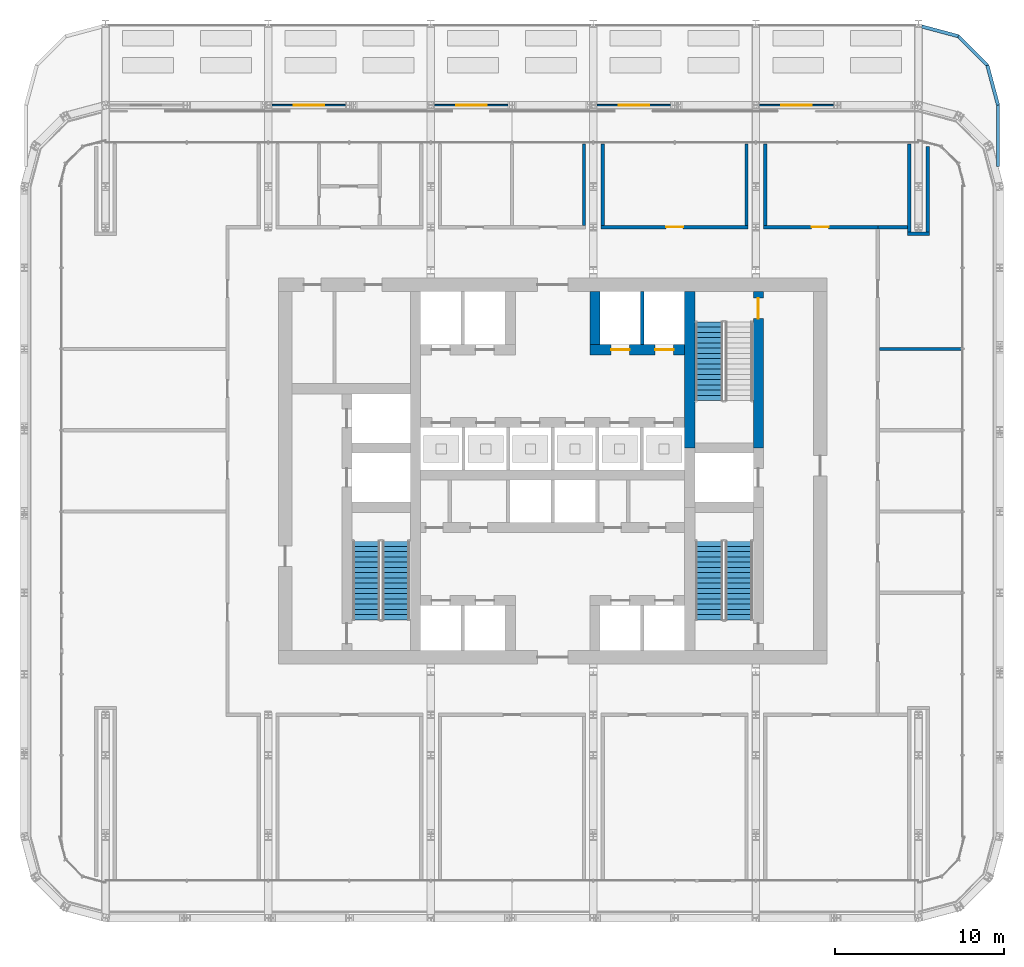
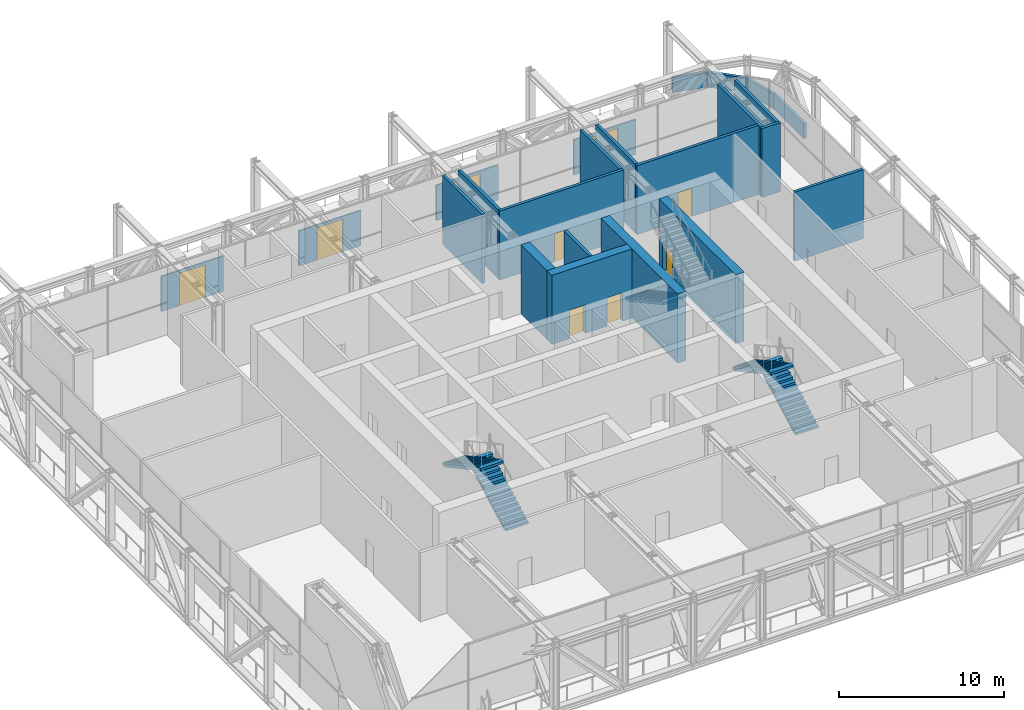
# One storey, part 19 of 27: 24 walls, 9 doors, 5 stair flights, 9 openings, 3 elements without a shape of their own.
"""IFC4 building model written with IfcOpenShell, lengths in metres."""

from ifc_helpers import new_model, si_unit, direction, frame, frame_2d, origin, place, context, subcontext, project, spatial, polyline, rectangle, outline, extrude, material, layer, layer_set, type_object, element, fill, aggregate, save


model = new_model("IFC4")

# Units and contexts
model_context = context("Model", 3, precision=1e-05, world=origin(), true_north=direction((0.0, 1.0)))
body_context = subcontext(model_context, "Body", "Model", "MODEL_VIEW")
ifc_project = project(units=[si_unit("LENGTHUNIT", "METRE"), si_unit("AREAUNIT", "SQUARE_METRE"), si_unit("VOLUMEUNIT", "CUBIC_METRE"), si_unit("PLANEANGLEUNIT", "RADIAN"), si_unit("MASSUNIT", "GRAM", prefix="KILO")], contexts=[model_context])

# Site, building, storey
site_placement = place(None, origin())
site = spatial("IfcSite", under=ifc_project, at=site_placement, CompositionType="ELEMENT")
building_placement = place(site_placement, origin())
building = spatial("IfcBuilding", under=site, at=building_placement, Name="Madar Terraces", CompositionType="ELEMENT")
storey_placement = place(building_placement, frame((0.0, 0.0, 143.60009765625)))
storey = spatial("IfcBuildingStorey", under=building, at=storey_placement, Name="L37", CompositionType="ELEMENT", Elevation=143.60009765625)

# Wall
ifc_material_1 = material(Name="Concrete C70/85", Category="concrete")
ifc_layer_1 = layer(ifc_material_1, 0.60009765625)
ifc_layer_set_1 = layer_set([ifc_layer_1], Name="Concrete C70/85 (CIW3 RC wall 600)")
wall_type_1 = type_object("IfcWallType", Name="CIW3 RC wall 600", PredefinedType="SHEAR", material=ifc_layer_set_1)
wall_1_placement = place(storey_placement, frame((39.300048828125, 27.75, 0.0), z_axis=(0.0, 0.0, 1.0), x_axis=(0.0, 1.0, 0.0)))
element("IfcWall", 1, at=wall_1_placement, inside=storey, type_object=wall_type_1, Name="CORE SHAFT WALL", PredefinedType="SHEAR", context=body_context, shape_type="SweptSolid", body=[
    extrude(rectangle(XDim=9.25, YDim=0.60009765625, at=frame_2d((4.625, 0.0))), origin(), (0.0, 0.0, 1.0), 5.099853515625),
])

# Wall, opening, door
wall_2_placement = place(storey_placement, frame((43.35009765625, 27.75, 0.0), z_axis=(0.0, 0.0, 1.0), x_axis=(0.0, 1.0, 0.0)))
wall_2 = element("IfcWall", 2, at=wall_2_placement, inside=storey, type_object=wall_type_1, Name="CORE SHAFT WALL", PredefinedType="SHEAR", context=body_context, shape_type="SweptSolid", body=[
    extrude(rectangle(XDim=9.25, YDim=0.60009765625, at=frame_2d((4.625, 0.0))), origin(), (0.0, 0.0, 1.0), 5.099853515625),
])
opening_1_placement = place(wall_2_placement, frame((7.64990234375, 0.0, 0.0)))
opening_1 = element("IfcOpeningElement", 3, at=opening_1_placement, cuts=wall_2, Name="Opening SD1", PredefinedType="OPENING", context=body_context, shape_type="SweptSolid", body=[
    extrude(rectangle(XDim=1.199951171875, YDim=2.10009765625, at=frame_2d((0.60009765625, 1.050048828125))), frame((0.0, 0.31005859375, 0.0), z_axis=(0.0, -1.0, 0.0), x_axis=(1.0, 0.0, 0.0)), (0.0, 0.0, 1.0), 0.6201171875),
])
ifc_material_2 = material(Name="Steel door leaf", Category="steel")
door_type_1 = type_object("IfcDoorType", Name="Stair door 1200 x 2100", OperationType="NOTDEFINED", PredefinedType="DOOR", material=ifc_material_2)
door_1_placement = place(opening_1_placement, origin())
door_1 = element("IfcDoor", 4, at=door_1_placement, inside=storey, type_object=door_type_1, Name="STAIR DOOR", OperationType="SINGLE_SWING_LEFT", OverallHeight=2.10009765625, OverallWidth=1.199951171875, PredefinedType="DOOR", context=body_context, shape_type="SweptSolid", body=[
    extrude(rectangle(XDim=1.199951171875, YDim=2.10009765625, at=frame_2d((0.60009765625, 1.050048828125))), frame((0.0, 0.02490234375, 0.0), z_axis=(0.0, -1.0, 0.0), x_axis=(1.0, 0.0, 0.0)), (0.0, 0.0, 1.0), 0.050048828125),
])
fill(opening_1, door_1)

# Wall, openings, doors
wall_3_placement = place(storey_placement, frame((33.39990234375, 33.550048828125, 0.0), z_axis=(0.0, 0.0, 1.0), x_axis=(1.0, 0.0, 0.0)))
wall_3 = element("IfcWall", 5, at=wall_3_placement, inside=storey, type_object=wall_type_1, Name="CORE SHAFT WALL", PredefinedType="SHEAR", context=body_context, shape_type="SweptSolid", body=[
    extrude(rectangle(XDim=5.60009765625, YDim=0.60009765625, at=frame_2d((2.800048828125, 0.0))), origin(), (0.0, 0.0, 1.0), 5.099853515625),
])
opening_2_placement = place(wall_3_placement, frame((1.25, 0.0, 0.0)))
opening_2 = element("IfcOpeningElement", 6, at=opening_2_placement, cuts=wall_3, Name="Opening LD", PredefinedType="OPENING", context=body_context, shape_type="SweptSolid", body=[
    extrude(rectangle(XDim=1.10009765625, YDim=2.10009765625, at=frame_2d((0.550048828125, 1.050048828125))), frame((0.0, 0.31005859375, 0.0), z_axis=(0.0, -1.0, 0.0), x_axis=(1.0, 0.0, 0.0)), (0.0, 0.0, 1.0), 0.6201171875),
])
opening_3_placement = place(wall_3_placement, frame((3.85009765625, 0.0, 0.0)))
opening_3 = element("IfcOpeningElement", 7, at=opening_3_placement, cuts=wall_3, Name="Opening LD", PredefinedType="OPENING", context=body_context, shape_type="SweptSolid", body=[
    extrude(rectangle(XDim=1.10009765625, YDim=2.10009765625, at=frame_2d((0.550048828125, 1.050048828125))), frame((0.0, 0.31005859375, 0.0), z_axis=(0.0, -1.0, 0.0), x_axis=(1.0, 0.0, 0.0)), (0.0, 0.0, 1.0), 0.6201171875),
])
ifc_material_3 = material(Name="Stainless steel panel", Category="steel")
door_type_2 = type_object("IfcDoorType", Name="Lift landing door 1100 x 2100", OperationType="DOUBLE_DOOR_SLIDING", PredefinedType="DOOR", material=ifc_material_3)
door_2_placement = place(opening_2_placement, origin())
door_2 = element("IfcDoor", 8, at=door_2_placement, inside=storey, type_object=door_type_2, Name="LIFT LANDING DOOR", OperationType="DOUBLE_DOOR_SLIDING", OverallHeight=2.10009765625, OverallWidth=1.10009765625, PredefinedType="DOOR", context=body_context, shape_type="SweptSolid", body=[
    extrude(rectangle(XDim=1.10009765625, YDim=2.10009765625, at=frame_2d((0.550048828125, 1.050048828125))), frame((0.0, 0.02490234375, 0.0), z_axis=(0.0, -1.0, 0.0), x_axis=(1.0, 0.0, 0.0)), (0.0, 0.0, 1.0), 0.050048828125),
])
fill(opening_2, door_2)
door_3_placement = place(opening_3_placement, origin())
door_3 = element("IfcDoor", 9, at=door_3_placement, inside=storey, type_object=door_type_2, Name="LIFT LANDING DOOR", OperationType="DOUBLE_DOOR_SLIDING", OverallHeight=2.10009765625, OverallWidth=1.10009765625, PredefinedType="DOOR", context=body_context, shape_type="SweptSolid", body=[
    extrude(rectangle(XDim=1.10009765625, YDim=2.10009765625, at=frame_2d((0.550048828125, 1.050048828125))), frame((0.0, 0.02490234375, 0.0), z_axis=(0.0, -1.0, 0.0), x_axis=(1.0, 0.0, 0.0)), (0.0, 0.0, 1.0), 0.050048828125),
])
fill(opening_3, door_3)

# Walls
wall_4_placement = place(storey_placement, frame((33.699951171875, 33.85009765625, 0.0), z_axis=(0.0, 0.0, 1.0), x_axis=(0.0, 1.0, 0.0)))
element("IfcWall", 10, at=wall_4_placement, inside=storey, type_object=wall_type_1, Name="CORE SHAFT WALL", PredefinedType="SHEAR", context=body_context, shape_type="SweptSolid", body=[
    extrude(rectangle(XDim=3.14990234375, YDim=0.60009765625, at=frame_2d((1.574951171875, 0.0))), origin(), (0.0, 0.0, 1.0), 5.099853515625),
])
ifc_material_4 = material(Name="Concrete C40/50", Category="concrete")
ifc_layer_2 = layer(ifc_material_4, 0.199951171875)
ifc_layer_set_2 = layer_set([ifc_layer_2], Name="Core shaft dividing wall 200 C40/50")
wall_type_2 = type_object("IfcWallType", Name="Core shaft dividing wall 200 C40/50", PredefinedType="SOLIDWALL", material=ifc_layer_set_2)
wall_5_placement = place(storey_placement, frame((36.5, 33.85009765625, 0.0), z_axis=(0.0, 0.0, 1.0), x_axis=(0.0, 1.0, 0.0)))
element("IfcWall", 11, at=wall_5_placement, inside=storey, type_object=wall_type_2, Name="SHAFT DIVIDING WALL", PredefinedType="SOLIDWALL", context=body_context, shape_type="SweptSolid", body=[
    extrude(rectangle(XDim=3.14990234375, YDim=0.199951171875, at=frame_2d((1.574951171875, 0.0))), origin(), (0.0, 0.0, 1.0), 5.099853515625),
])
ifc_material_5 = material(Name="Gypsum board partition, fire-rated")
ifc_layer_3 = layer(ifc_material_5, 0.199951171875)
ifc_layer_set_3 = layer_set([ifc_layer_3], Name="Partition 200 EI 60")
wall_type_3 = type_object("IfcWallType", Name="Partition 200 EI 60", PredefinedType="PARTITIONING", material=ifc_layer_set_3)
wall_6_placement = place(storey_placement, frame((50.5, 33.60009765625, 0.0), z_axis=(0.0, 0.0, 1.0), x_axis=(1.0, 0.0, 0.0)))
element("IfcWall", 12, at=wall_6_placement, inside=storey, type_object=wall_type_3, Name="Wall CRAFT ROOM / QUIET ROOM", PredefinedType="PARTITIONING", context=body_context, shape_type="SweptSolid", body=[
    extrude(rectangle(XDim=4.800048828125, YDim=0.199951171875, at=frame_2d((2.39990234375, 0.0))), origin(), (0.0, 0.0, 1.0), 5.099853515625),
])
wall_7_placement = place(storey_placement, frame((50.39990234375, 40.800048828125, 0.0), z_axis=(0.0, 0.0, 1.0), x_axis=(1.0, 0.0, 0.0)))
element("IfcWall", 13, at=wall_7_placement, inside=storey, type_object=wall_type_3, Name="Wall HOBBY ROOM / QUIET ROOM", PredefinedType="PARTITIONING", context=body_context, shape_type="SweptSolid", body=[
    extrude(rectangle(XDim=1.75, YDim=0.199951171875, at=frame_2d((0.875, 0.0))), origin(), (0.0, 0.0, 1.0), 5.099853515625),
])

# Wall, opening, door
wall_8_placement = place(storey_placement, frame((34.050048828125, 40.800048828125, 0.0), z_axis=(0.0, 0.0, 1.0), x_axis=(1.0, 0.0, 0.0)))
wall_8 = element("IfcWall", 14, at=wall_8_placement, inside=storey, type_object=wall_type_3, Name="Wall OFFICE / RING CORRIDOR", PredefinedType="PARTITIONING", context=body_context, shape_type="SweptSolid", body=[
    extrude(rectangle(XDim=8.699951171875, YDim=0.199951171875, at=frame_2d((4.35009765625, 0.0))), origin(), (0.0, 0.0, 1.0), 5.099853515625),
])
opening_4_placement = place(wall_8_placement, frame((3.85009765625, 0.0, 0.0)))
opening_4 = element("IfcOpeningElement", 15, at=opening_4_placement, cuts=wall_8, Name="Opening D31", PredefinedType="OPENING", context=body_context, shape_type="SweptSolid", body=[
    extrude(rectangle(XDim=1.0, YDim=2.10009765625, at=frame_2d((0.5, 1.050048828125))), frame((0.0, 0.10986328125, 0.0), z_axis=(0.0, -1.0, 0.0), x_axis=(1.0, 0.0, 0.0)), (0.0, 0.0, 1.0), 0.219970703125),
])
ifc_material_6 = material(Name="Timber door leaf, fire-rated", Category="wood")
door_type_3 = type_object("IfcDoorType", Name="Podium door 1000 x 2100 FD30S", OperationType="NOTDEFINED", PredefinedType="DOOR", material=ifc_material_6)
door_4_placement = place(opening_4_placement, origin())
door_4 = element("IfcDoor", 16, at=door_4_placement, inside=storey, type_object=door_type_3, Name="Door OFFICE / RING CORRIDOR", OperationType="SINGLE_SWING_LEFT", OverallHeight=2.10009765625, OverallWidth=1.0, PredefinedType="DOOR", context=body_context, shape_type="SweptSolid", body=[
    extrude(rectangle(XDim=1.0, YDim=2.10009765625, at=frame_2d((0.5, 1.050048828125))), frame((0.0, 0.02490234375, 0.0), z_axis=(0.0, -1.0, 0.0), x_axis=(1.0, 0.0, 0.0)), (0.0, 0.0, 1.0), 0.050048828125),
])
fill(opening_4, door_4)

wall_9_placement = place(storey_placement, frame((43.64990234375, 40.800048828125, 0.0), z_axis=(0.0, 0.0, 1.0), x_axis=(1.0, 0.0, 0.0)))
wall_9 = element("IfcWall", 17, at=wall_9_placement, inside=storey, type_object=wall_type_3, Name="Wall HOBBY ROOM / RING CORRIDOR", PredefinedType="PARTITIONING", context=body_context, shape_type="SweptSolid", body=[
    extrude(rectangle(XDim=6.75, YDim=0.199951171875, at=frame_2d((3.375, 0.0))), origin(), (0.0, 0.0, 1.0), 5.099853515625),
])
opening_5_placement = place(wall_9_placement, frame((2.85009765625, 0.0, 0.0)))
opening_5 = element("IfcOpeningElement", 18, at=opening_5_placement, cuts=wall_9, Name="Opening D31", PredefinedType="OPENING", context=body_context, shape_type="SweptSolid", body=[
    extrude(rectangle(XDim=1.0, YDim=2.10009765625, at=frame_2d((0.5, 1.050048828125))), frame((0.0, 0.10986328125, 0.0), z_axis=(0.0, -1.0, 0.0), x_axis=(1.0, 0.0, 0.0)), (0.0, 0.0, 1.0), 0.219970703125),
])
door_5_placement = place(opening_5_placement, origin())
door_5 = element("IfcDoor", 19, at=door_5_placement, inside=storey, type_object=door_type_3, Name="Door HOBBY ROOM / RING CORRIDOR", OperationType="SINGLE_SWING_LEFT", OverallHeight=2.10009765625, OverallWidth=1.0, PredefinedType="DOOR", context=body_context, shape_type="SweptSolid", body=[
    extrude(rectangle(XDim=1.0, YDim=2.10009765625, at=frame_2d((0.5, 1.050048828125))), frame((0.0, 0.02490234375, 0.0), z_axis=(0.0, -1.0, 0.0), x_axis=(1.0, 0.0, 0.0)), (0.0, 0.0, 1.0), 0.050048828125),
])
fill(opening_5, door_5)

# Walls
ifc_material_7 = material(Name="Gypsum board partition on metal studs")
ifc_layer_4 = layer(ifc_material_7, 0.199951171875)
ifc_layer_set_4 = layer_set([ifc_layer_4], Name="Partition 200 plain")
wall_type_4 = type_object("IfcWallType", Name="Partition 200 plain", PredefinedType="PARTITIONING", material=ifc_layer_set_4)
wall_10_placement = place(storey_placement, frame((52.14990234375, 40.39990234375, 0.0), z_axis=(0.0, 0.0, 1.0), x_axis=(1.0, 0.0, 0.0)))
element("IfcWall", 20, at=wall_10_placement, inside=storey, type_object=wall_type_4, Name="Wall QUIET ROOM / TRUSS SLOT", PredefinedType="PARTITIONING", context=body_context, shape_type="SweptSolid", body=[
    extrude(rectangle(XDim=1.300048828125, YDim=0.199951171875, at=frame_2d((0.64990234375, 0.0))), origin(), (0.0, 0.0, 1.0), 5.099853515625),
])
for number, where, z_axis, x_axis, name in (
    (21, (33.050048828125, 40.89990234375, 0.0), (0.0, 0.0, 1.0), (0.0, 1.0, 0.0), "Wall OFFICE / TRUSS SLOT"),
    (22, (34.14990234375, 40.89990234375, 0.0), (0.0, 0.0, 1.0), (0.0, 1.0, 0.0), "Wall OFFICE / TRUSS SLOT"),
    (23, (42.64990234375, 40.89990234375, 0.0), (0.0, 0.0, 1.0), (0.0, 1.0, 0.0), "Wall OFFICE / TRUSS SLOT"),
    (24, (43.75, 40.89990234375, 0.0), (0.0, 0.0, 1.0), (0.0, 1.0, 0.0), "Wall HOBBY ROOM / TRUSS SLOT"),
):
    element("IfcWall", number, at=place(storey_placement, frame(where, z_axis=z_axis, x_axis=x_axis)), inside=storey, type_object=wall_type_4, Name=name, PredefinedType="PARTITIONING", context=body_context, shape_type="SweptSolid", body=[
        extrude(rectangle(XDim=4.800048828125, YDim=0.199951171875, at=frame_2d((2.39990234375, 0.0))), origin(), (0.0, 0.0, 1.0), 5.099853515625),
    ])
wall_11_placement = place(storey_placement, frame((52.25, 40.5, 0.0), z_axis=(0.0, 0.0, 1.0), x_axis=(0.0, 1.0, 0.0)))
element("IfcWall", 25, at=wall_11_placement, inside=storey, type_object=wall_type_4, Name="Wall HOBBY ROOM + QUIET ROOM", PredefinedType="PARTITIONING", context=body_context, shape_type="SweptSolid", body=[
    extrude(rectangle(XDim=5.199951171875, YDim=0.199951171875, at=frame_2d((2.60009765625, 0.0))), origin(), (0.0, 0.0, 1.0), 5.099853515625),
])
wall_12_placement = place(storey_placement, frame((53.35009765625, 40.5, 0.0), z_axis=(0.0, 0.0, 1.0), x_axis=(0.0, 1.0, 0.0)))
element("IfcWall", 26, at=wall_12_placement, inside=storey, type_object=wall_type_4, Name="Wall QUIET ROOM / TRUSS SLOT", PredefinedType="PARTITIONING", context=body_context, shape_type="SweptSolid", body=[
    extrude(rectangle(XDim=5.050048828125, YDim=0.199951171875, at=frame_2d((2.52490234375, 0.0))), origin(), (0.0, 0.0, 1.0), 5.099853515625),
])
ifc_material_8 = material(Name="Concrete C40/50", Category="concrete")
ifc_layer_5 = layer(ifc_material_8, 0.199951171875)
ifc_layer_set_5 = layer_set([ifc_layer_5], Name="Roof parapet 200")
wall_type_5 = type_object("IfcWallType", Name="Roof parapet 200", PredefinedType="PARAPET", material=ifc_layer_set_5)
wall_13_placement = place(storey_placement, frame((57.5, 44.364990234375, 0.039794921875), z_axis=(0.0, 0.0, 1.0), x_axis=(0.0, 1.0, 0.0)))
element("IfcWall", 27, at=wall_13_placement, inside=storey, type_object=wall_type_5, Name="Roof parapet", PredefinedType="PARAPET", context=body_context, shape_type="SweptSolid", body=[
    extrude(rectangle(XDim=3.635009765625, YDim=0.199951171875, at=frame_2d((1.8173828125, 0.0))), origin(), (0.0, 0.0, 1.0), 1.10009765625),
])
for number, where, z_axis, x_axis, name in (
    (28, (57.5, 48.0, 0.039794921875), (0.0, 0.0, 1.0), (-0.258792930722, 0.965932823238, 0.0), "Roof parapet"),
    (29, (56.870361328125, 50.35009765625, 0.039794921875), (0.0, 0.0, 1.0), (-0.707156953733, 0.70705660508, 0.0), "Roof parapet"),
):
    element("IfcWall", number, at=place(storey_placement, frame(where, z_axis=z_axis, x_axis=x_axis)), inside=storey, type_object=wall_type_5, Name=name, PredefinedType="PARAPET", context=body_context, shape_type="SweptSolid", body=[
        extrude(rectangle(XDim=2.432861328125, YDim=0.199951171875, at=frame_2d((1.21630859375, 0.0))), origin(), (0.0, 0.0, 1.0), 1.10009765625),
    ])
wall_14_placement = place(storey_placement, frame((55.14990234375, 52.0703125, 0.039794921875), z_axis=(0.0, 0.0, 1.0), x_axis=(-0.965928993562, 0.258807224389, 0.0)))
element("IfcWall", 30, at=wall_14_placement, inside=storey, type_object=wall_type_5, Name="Roof parapet", PredefinedType="PARAPET", context=body_context, shape_type="SweptSolid", body=[
    extrude(rectangle(XDim=2.22998046875, YDim=0.199951171875, at=frame_2d((1.114990234375, 0.0))), origin(), (0.0, 0.0, 1.0), 1.10009765625),
])

# Wall, opening, door
ifc_material_9 = material(Name="Steel S355, powder-coated", Category="steel")
ifc_layer_6 = layer(ifc_material_9, 0.10009765625)
ifc_layer_set_6 = layer_set([ifc_layer_6], Name="Terrace gate frame 100")
wall_type_6 = type_object("IfcWallType", Name="Terrace gate frame 100", PredefinedType="SOLIDWALL", material=ifc_layer_set_6)
wall_15_placement = place(storey_placement, frame((14.62744140625, 48.0, 0.07763671875), z_axis=(0.0, 0.0, 1.0), x_axis=(1.0, 0.0, 0.0)))
wall_15 = element("IfcWall", 31, at=wall_15_placement, inside=storey, type_object=wall_type_6, Name="Terrace gate frame", PredefinedType="SOLIDWALL", context=body_context, shape_type="SweptSolid", body=[
    extrude(rectangle(XDim=4.34521484375, YDim=0.10009765625, at=frame_2d((2.172607421875, 0.0))), origin(), (0.0, 0.0, 1.0), 2.60009765625),
])
opening_6_placement = place(wall_15_placement, frame((1.272705078125, 0.0, 0.0)))
opening_6 = element("IfcOpeningElement", 32, at=opening_6_placement, cuts=wall_15, Name="Opening ED9", PredefinedType="OPENING", context=body_context, shape_type="SweptSolid", body=[
    extrude(rectangle(XDim=1.800048828125, YDim=2.39990234375, at=frame_2d((0.89990234375, 1.199951171875))), frame((0.0, 0.06005859375, 0.0), z_axis=(0.0, -1.0, 0.0), x_axis=(1.0, 0.0, 0.0)), (0.0, 0.0, 1.0), 0.1201171875),
])
ifc_material_10 = material(Name="Steel, powder-coated, with safety glazing", Category="steel")
door_type_4 = type_object("IfcDoorType", Name="Terrace gate door 1800 x 2400", OperationType="NOTDEFINED", PredefinedType="DOOR", material=ifc_material_10)
door_6_placement = place(opening_6_placement, origin())
door_6 = element("IfcDoor", 33, at=door_6_placement, inside=storey, type_object=door_type_4, Name="Terrace gate", OperationType="DOUBLE_DOOR_SINGLE_SWING", OverallHeight=2.39990234375, OverallWidth=1.800048828125, PredefinedType="DOOR", context=body_context, shape_type="SweptSolid", body=[
    extrude(rectangle(XDim=1.800048828125, YDim=2.39990234375, at=frame_2d((0.89990234375, 1.199951171875))), frame((0.0, 0.02490234375, 0.0), z_axis=(0.0, -1.0, 0.0), x_axis=(1.0, 0.0, 0.0)), (0.0, 0.0, 1.0), 0.050048828125),
])
fill(opening_6, door_6)

wall_16_placement = place(storey_placement, frame((24.227294921875, 48.0, 0.07763671875), z_axis=(0.0, 0.0, 1.0), x_axis=(1.0, 0.0, 0.0)))
wall_16 = element("IfcWall", 34, at=wall_16_placement, inside=storey, type_object=wall_type_6, Name="Terrace gate frame", PredefinedType="SOLIDWALL", context=body_context, shape_type="SweptSolid", body=[
    extrude(rectangle(XDim=4.345458984375, YDim=0.10009765625, at=frame_2d((2.1728515625, 0.0))), origin(), (0.0, 0.0, 1.0), 2.60009765625),
])
opening_7_placement = place(wall_16_placement, frame((1.272705078125, 0.0, 0.0)))
opening_7 = element("IfcOpeningElement", 35, at=opening_7_placement, cuts=wall_16, Name="Opening ED9", PredefinedType="OPENING", context=body_context, shape_type="SweptSolid", body=[
    extrude(rectangle(XDim=1.800048828125, YDim=2.39990234375, at=frame_2d((0.89990234375, 1.199951171875))), frame((0.0, 0.06005859375, 0.0), z_axis=(0.0, -1.0, 0.0), x_axis=(1.0, 0.0, 0.0)), (0.0, 0.0, 1.0), 0.1201171875),
])
door_7_placement = place(opening_7_placement, origin())
door_7 = element("IfcDoor", 36, at=door_7_placement, inside=storey, type_object=door_type_4, Name="Terrace gate", OperationType="DOUBLE_DOOR_SINGLE_SWING", OverallHeight=2.39990234375, OverallWidth=1.800048828125, PredefinedType="DOOR", context=body_context, shape_type="SweptSolid", body=[
    extrude(rectangle(XDim=1.800048828125, YDim=2.39990234375, at=frame_2d((0.89990234375, 1.199951171875))), frame((0.0, 0.02490234375, 0.0), z_axis=(0.0, -1.0, 0.0), x_axis=(1.0, 0.0, 0.0)), (0.0, 0.0, 1.0), 0.050048828125),
])
fill(opening_7, door_7)

wall_17_placement = place(storey_placement, frame((33.827392578125, 48.0, 0.07763671875), z_axis=(0.0, 0.0, 1.0), x_axis=(1.0, 0.0, 0.0)))
wall_17 = element("IfcWall", 37, at=wall_17_placement, inside=storey, type_object=wall_type_6, Name="Terrace gate frame", PredefinedType="SOLIDWALL", context=body_context, shape_type="SweptSolid", body=[
    extrude(rectangle(XDim=4.34521484375, YDim=0.10009765625, at=frame_2d((2.172607421875, 0.0))), origin(), (0.0, 0.0, 1.0), 2.60009765625),
])
opening_8_placement = place(wall_17_placement, frame((1.272705078125, 0.0, 0.0)))
opening_8 = element("IfcOpeningElement", 38, at=opening_8_placement, cuts=wall_17, Name="Opening ED9", PredefinedType="OPENING", context=body_context, shape_type="SweptSolid", body=[
    extrude(rectangle(XDim=1.800048828125, YDim=2.39990234375, at=frame_2d((0.89990234375, 1.199951171875))), frame((0.0, 0.06005859375, 0.0), z_axis=(0.0, -1.0, 0.0), x_axis=(1.0, 0.0, 0.0)), (0.0, 0.0, 1.0), 0.1201171875),
])
door_8_placement = place(opening_8_placement, origin())
door_8 = element("IfcDoor", 39, at=door_8_placement, inside=storey, type_object=door_type_4, Name="Terrace gate", OperationType="DOUBLE_DOOR_SINGLE_SWING", OverallHeight=2.39990234375, OverallWidth=1.800048828125, PredefinedType="DOOR", context=body_context, shape_type="SweptSolid", body=[
    extrude(rectangle(XDim=1.800048828125, YDim=2.39990234375, at=frame_2d((0.89990234375, 1.199951171875))), frame((0.0, 0.02490234375, 0.0), z_axis=(0.0, -1.0, 0.0), x_axis=(1.0, 0.0, 0.0)), (0.0, 0.0, 1.0), 0.050048828125),
])
fill(opening_8, door_8)

wall_18_placement = place(storey_placement, frame((43.42724609375, 48.0, 0.07763671875), z_axis=(0.0, 0.0, 1.0), x_axis=(1.0, 0.0, 0.0)))
wall_18 = element("IfcWall", 40, at=wall_18_placement, inside=storey, type_object=wall_type_6, Name="Terrace gate frame", PredefinedType="SOLIDWALL", context=body_context, shape_type="SweptSolid", body=[
    extrude(rectangle(XDim=4.345458984375, YDim=0.10009765625, at=frame_2d((2.1728515625, 0.0))), origin(), (0.0, 0.0, 1.0), 2.60009765625),
])
opening_9_placement = place(wall_18_placement, frame((1.272705078125, 0.0, 0.0)))
opening_9 = element("IfcOpeningElement", 41, at=opening_9_placement, cuts=wall_18, Name="Opening ED9", PredefinedType="OPENING", context=body_context, shape_type="SweptSolid", body=[
    extrude(rectangle(XDim=1.800048828125, YDim=2.39990234375, at=frame_2d((0.89990234375, 1.199951171875))), frame((0.0, 0.06005859375, 0.0), z_axis=(0.0, -1.0, 0.0), x_axis=(1.0, 0.0, 0.0)), (0.0, 0.0, 1.0), 0.1201171875),
])
door_9_placement = place(opening_9_placement, origin())
door_9 = element("IfcDoor", 42, at=door_9_placement, inside=storey, type_object=door_type_4, Name="Terrace gate", OperationType="DOUBLE_DOOR_SINGLE_SWING", OverallHeight=2.39990234375, OverallWidth=1.800048828125, PredefinedType="DOOR", context=body_context, shape_type="SweptSolid", body=[
    extrude(rectangle(XDim=1.800048828125, YDim=2.39990234375, at=frame_2d((0.89990234375, 1.199951171875))), frame((0.0, 0.02490234375, 0.0), z_axis=(0.0, -1.0, 0.0), x_axis=(1.0, 0.0, 0.0)), (0.0, 0.0, 1.0), 0.050048828125),
])
fill(opening_9, door_9)

# Stair, stair flights
ifc_material_11 = material(Name="Concrete C50/60", Category="concrete")
stair_type_1 = type_object("IfcStairType", Name="Stair ST1 protected exit", PredefinedType="HALF_TURN_STAIR", material=ifc_material_11)
stair_1_placement = place(storey_placement, origin())
stair_1 = element("IfcStair", 43, at=stair_1_placement, inside=storey, type_object=stair_type_1, Name="L37 Protected Exit Stair ST1", PredefinedType="HALF_TURN_STAIR")
ifc_material_12 = material(Name="Concrete C50/60", Category="concrete")
stair_flight_type_1 = type_object("IfcStairFlightType", Name="Stair flight ST1-F3, 1600 wide, 16 risers", PredefinedType="STRAIGHT", material=ifc_material_12)
stair_flight_1_placement = place(storey_placement, frame((21.949951171875, 17.60009765625, 0.0), z_axis=(0.0, 0.0, 1.0), x_axis=(0.0, 1.0, 0.0)))
stair_flight_1 = element("IfcStairFlight", 44, at=stair_flight_1_placement, type_object=stair_flight_type_1, Name="ST1 flight 1", NumberOfRisers=16, NumberOfTreads=15, PredefinedType="STRAIGHT", RiserHeight=0.16875, TreadLength=0.31, context=body_context, shape_type="SweptSolid", body=[
    extrude(outline(polyline([(0.0, 0.0), (0.0, 0.168701171875), (0.31005859375, 0.168701171875), (0.31005859375, 0.33740234375), (0.6201171875, 0.33740234375), (0.6201171875, 0.50634765625), (0.929931640625, 0.50634765625), (0.929931640625, 0.675048828125), (1.239990234375, 0.675048828125), (1.239990234375, 0.84375), (1.550048828125, 0.84375), (1.550048828125, 1.012451171875), (1.860107421875, 1.012451171875), (1.860107421875, 1.18115234375), (2.169921875, 1.18115234375), (2.169921875, 1.35009765625), (2.47998046875, 1.35009765625), (2.47998046875, 1.518798828125), (2.7900390625, 1.518798828125), (2.7900390625, 1.6875), (3.10009765625, 1.6875), (3.10009765625, 1.856201171875), (3.409912109375, 1.856201171875), (3.409912109375, 2.02490234375), (3.719970703125, 2.02490234375), (3.719970703125, 2.19384765625), (4.030029296875, 2.19384765625), (4.030029296875, 2.362548828125), (4.340087890625, 2.362548828125), (4.340087890625, 2.53125), (4.64990234375, 2.53125), (4.64990234375, 2.699951171875), (4.64990234375, 2.360595703125), (0.3134765625, 0.0), (0.0, 0.0)])), frame((0.0, 0.800048828125, 0.0), z_axis=(0.0, -1.0, 0.0), x_axis=(1.0, 0.0, 0.0)), (0.0, 0.0, 1.0), 1.60009765625),
])
stair_flight_2_placement = place(storey_placement, frame((20.199951171875, 22.25, 2.699951171875), z_axis=(0.0, 0.0, 1.0), x_axis=(0.0, -1.0, 0.0)))
stair_flight_2 = element("IfcStairFlight", 45, at=stair_flight_2_placement, type_object=stair_flight_type_1, Name="ST1 flight 2", NumberOfRisers=16, NumberOfTreads=15, PredefinedType="STRAIGHT", RiserHeight=0.16875, TreadLength=0.31, context=body_context, shape_type="SweptSolid", body=[
    extrude(outline(polyline([(0.0, 0.0), (0.0, 0.168701171875), (0.31005859375, 0.168701171875), (0.31005859375, 0.33740234375), (0.6201171875, 0.33740234375), (0.6201171875, 0.50634765625), (0.929931640625, 0.50634765625), (0.929931640625, 0.675048828125), (1.239990234375, 0.675048828125), (1.239990234375, 0.84375), (1.550048828125, 0.84375), (1.550048828125, 1.012451171875), (1.860107421875, 1.012451171875), (1.860107421875, 1.18115234375), (2.169921875, 1.18115234375), (2.169921875, 1.35009765625), (2.47998046875, 1.35009765625), (2.47998046875, 1.518798828125), (2.7900390625, 1.518798828125), (2.7900390625, 1.6875), (3.10009765625, 1.6875), (3.10009765625, 1.856201171875), (3.409912109375, 1.856201171875), (3.409912109375, 2.02490234375), (3.719970703125, 2.02490234375), (3.719970703125, 2.19384765625), (4.030029296875, 2.19384765625), (4.030029296875, 2.362548828125), (4.340087890625, 2.362548828125), (4.340087890625, 2.53125), (4.64990234375, 2.53125), (4.64990234375, 2.699951171875), (4.64990234375, 2.360595703125), (0.3134765625, 0.0), (0.0, 0.0)])), frame((0.0, 0.800048828125, 0.0), z_axis=(0.0, -1.0, 0.0), x_axis=(1.0, 0.0, 0.0)), (0.0, 0.0, 1.0), 1.60009765625),
])
aggregate(stair_1, [stair_flight_1, stair_flight_2])

# Stair, stair flight
ifc_material_13 = material(Name="Concrete C50/60", Category="concrete")
stair_type_2 = type_object("IfcStairType", Name="Stair ST2 protected exit", PredefinedType="HALF_TURN_STAIR", material=ifc_material_13)
stair_2_placement = place(storey_placement, origin())
stair_2 = element("IfcStair", 46, at=stair_2_placement, inside=storey, type_object=stair_type_2, Name="L37 Protected Exit Stair ST2", PredefinedType="HALF_TURN_STAIR")
ifc_material_14 = material(Name="Concrete C50/60", Category="concrete")
stair_flight_type_2 = type_object("IfcStairFlightType", Name="Stair flight ST2-F3, 1600 wide, 16 risers", PredefinedType="STRAIGHT", material=ifc_material_14)
stair_flight_3_placement = place(storey_placement, frame((40.449951171875, 35.199951171875, 0.0), z_axis=(0.0, 0.0, 1.0), x_axis=(0.0, -1.0, 0.0)))
stair_flight_3 = element("IfcStairFlight", 47, at=stair_flight_3_placement, type_object=stair_flight_type_2, Name="ST2 flight 1", NumberOfRisers=16, NumberOfTreads=15, PredefinedType="STRAIGHT", RiserHeight=0.16875, TreadLength=0.31, context=body_context, shape_type="SweptSolid", body=[
    extrude(outline(polyline([(0.0, 0.0), (0.0, 0.168701171875), (0.31005859375, 0.168701171875), (0.31005859375, 0.33740234375), (0.6201171875, 0.33740234375), (0.6201171875, 0.50634765625), (0.929931640625, 0.50634765625), (0.929931640625, 0.675048828125), (1.239990234375, 0.675048828125), (1.239990234375, 0.84375), (1.550048828125, 0.84375), (1.550048828125, 1.012451171875), (1.860107421875, 1.012451171875), (1.860107421875, 1.18115234375), (2.169921875, 1.18115234375), (2.169921875, 1.35009765625), (2.47998046875, 1.35009765625), (2.47998046875, 1.518798828125), (2.7900390625, 1.518798828125), (2.7900390625, 1.6875), (3.10009765625, 1.6875), (3.10009765625, 1.856201171875), (3.409912109375, 1.856201171875), (3.409912109375, 2.02490234375), (3.719970703125, 2.02490234375), (3.719970703125, 2.19384765625), (4.030029296875, 2.19384765625), (4.030029296875, 2.362548828125), (4.340087890625, 2.362548828125), (4.340087890625, 2.53125), (4.64990234375, 2.53125), (4.64990234375, 2.699951171875), (4.64990234375, 2.360595703125), (0.3134765625, 0.0), (0.0, 0.0)])), frame((0.0, 0.800048828125, 0.0), z_axis=(0.0, -1.0, 0.0), x_axis=(1.0, 0.0, 0.0)), (0.0, 0.0, 1.0), 1.60009765625),
])
aggregate(stair_2, [stair_flight_3])

# Stair, stair flights
ifc_material_15 = material(Name="Concrete C50/60", Category="concrete")
stair_type_3 = type_object("IfcStairType", Name="Stair ST3 protected exit", PredefinedType="HALF_TURN_STAIR", material=ifc_material_15)
stair_3_placement = place(storey_placement, origin())
stair_3 = element("IfcStair", 48, at=stair_3_placement, inside=storey, type_object=stair_type_3, Name="L37 Protected Exit Stair ST3", PredefinedType="HALF_TURN_STAIR")
ifc_material_16 = material(Name="Concrete C50/60", Category="concrete")
stair_flight_type_3 = type_object("IfcStairFlightType", Name="Stair flight ST3-F3, 1600 wide, 16 risers", PredefinedType="STRAIGHT", material=ifc_material_16)
stair_flight_4_placement = place(storey_placement, frame((42.199951171875, 17.60009765625, 0.0), z_axis=(0.0, 0.0, 1.0), x_axis=(0.0, 1.0, 0.0)))
stair_flight_4 = element("IfcStairFlight", 49, at=stair_flight_4_placement, type_object=stair_flight_type_3, Name="ST3 flight 1", NumberOfRisers=16, NumberOfTreads=15, PredefinedType="STRAIGHT", RiserHeight=0.16875, TreadLength=0.31, context=body_context, shape_type="SweptSolid", body=[
    extrude(outline(polyline([(0.0, 0.0), (0.0, 0.168701171875), (0.31005859375, 0.168701171875), (0.31005859375, 0.33740234375), (0.6201171875, 0.33740234375), (0.6201171875, 0.50634765625), (0.929931640625, 0.50634765625), (0.929931640625, 0.675048828125), (1.239990234375, 0.675048828125), (1.239990234375, 0.84375), (1.550048828125, 0.84375), (1.550048828125, 1.012451171875), (1.860107421875, 1.012451171875), (1.860107421875, 1.18115234375), (2.169921875, 1.18115234375), (2.169921875, 1.35009765625), (2.47998046875, 1.35009765625), (2.47998046875, 1.518798828125), (2.7900390625, 1.518798828125), (2.7900390625, 1.6875), (3.10009765625, 1.6875), (3.10009765625, 1.856201171875), (3.409912109375, 1.856201171875), (3.409912109375, 2.02490234375), (3.719970703125, 2.02490234375), (3.719970703125, 2.19384765625), (4.030029296875, 2.19384765625), (4.030029296875, 2.362548828125), (4.340087890625, 2.362548828125), (4.340087890625, 2.53125), (4.64990234375, 2.53125), (4.64990234375, 2.699951171875), (4.64990234375, 2.360595703125), (0.3134765625, 0.0), (0.0, 0.0)])), frame((0.0, 0.800048828125, 0.0), z_axis=(0.0, -1.0, 0.0), x_axis=(1.0, 0.0, 0.0)), (0.0, 0.0, 1.0), 1.60009765625),
])
stair_flight_5_placement = place(storey_placement, frame((40.449951171875, 22.25, 2.699951171875), z_axis=(0.0, 0.0, 1.0), x_axis=(0.0, -1.0, 0.0)))
stair_flight_5 = element("IfcStairFlight", 50, at=stair_flight_5_placement, type_object=stair_flight_type_3, Name="ST3 flight 2", NumberOfRisers=16, NumberOfTreads=15, PredefinedType="STRAIGHT", RiserHeight=0.16875, TreadLength=0.31, context=body_context, shape_type="SweptSolid", body=[
    extrude(outline(polyline([(0.0, 0.0), (0.0, 0.168701171875), (0.31005859375, 0.168701171875), (0.31005859375, 0.33740234375), (0.6201171875, 0.33740234375), (0.6201171875, 0.50634765625), (0.929931640625, 0.50634765625), (0.929931640625, 0.675048828125), (1.239990234375, 0.675048828125), (1.239990234375, 0.84375), (1.550048828125, 0.84375), (1.550048828125, 1.012451171875), (1.860107421875, 1.012451171875), (1.860107421875, 1.18115234375), (2.169921875, 1.18115234375), (2.169921875, 1.35009765625), (2.47998046875, 1.35009765625), (2.47998046875, 1.518798828125), (2.7900390625, 1.518798828125), (2.7900390625, 1.6875), (3.10009765625, 1.6875), (3.10009765625, 1.856201171875), (3.409912109375, 1.856201171875), (3.409912109375, 2.02490234375), (3.719970703125, 2.02490234375), (3.719970703125, 2.19384765625), (4.030029296875, 2.19384765625), (4.030029296875, 2.362548828125), (4.340087890625, 2.362548828125), (4.340087890625, 2.53125), (4.64990234375, 2.53125), (4.64990234375, 2.699951171875), (4.64990234375, 2.360595703125), (0.3134765625, 0.0), (0.0, 0.0)])), frame((0.0, 0.800048828125, 0.0), z_axis=(0.0, -1.0, 0.0), x_axis=(1.0, 0.0, 0.0)), (0.0, 0.0, 1.0), 1.60009765625),
])
aggregate(stair_3, [stair_flight_4, stair_flight_5])

save(model, "model.ifc")
